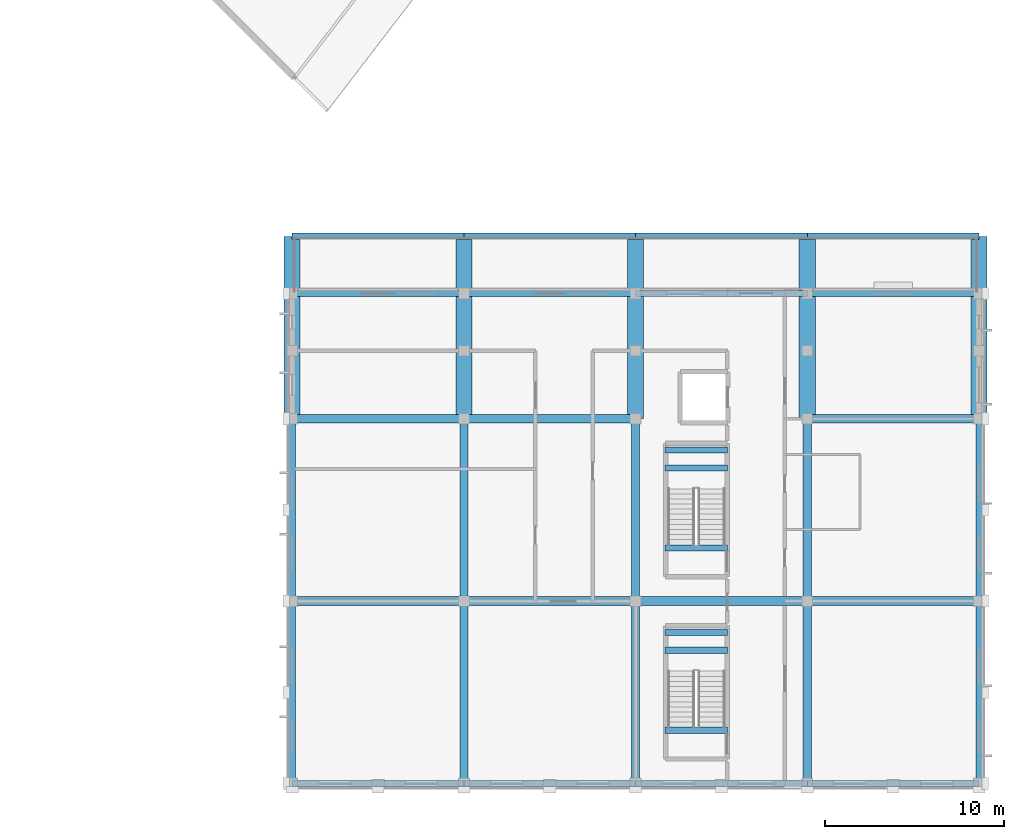
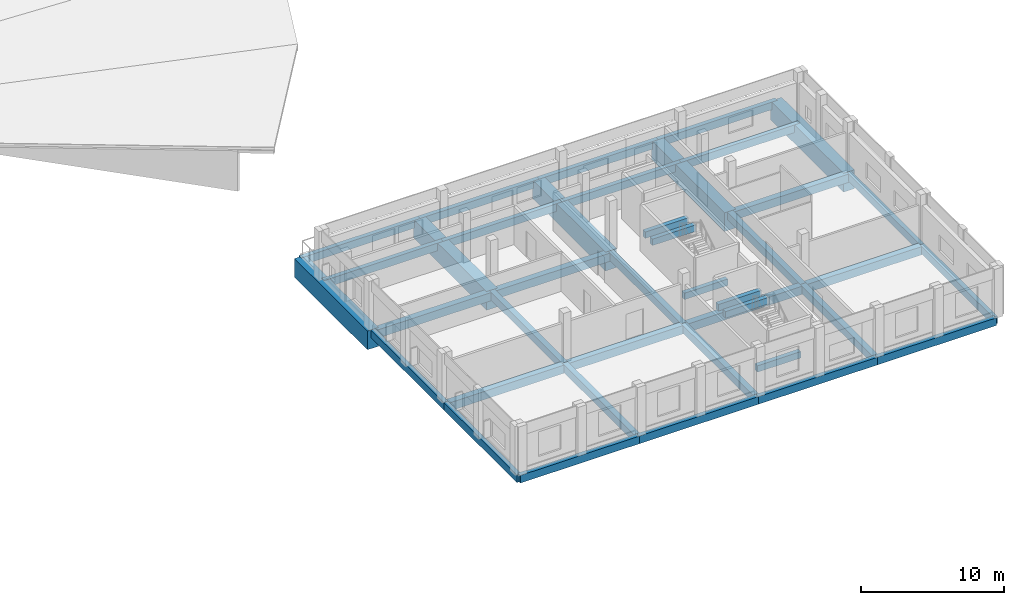
# One storey, part 105 of 200: 40 beams.
"""IFC4 building model written with IfcOpenShell, lengths in metres."""

from ifc_helpers import new_model, si_unit, direction, frame, origin, origin_2d, place, context, subcontext, project, spatial, rectangle, extrude, material, material_profile, profile_set, type_object, element, save


model = new_model("IFC4")

# Units and contexts
model_context = context("Model", 3, precision=1e-05, world=origin(), true_north=direction((0.0, 1.0)))
body_context = subcontext(model_context, "Body", "Model", "MODEL_VIEW")
ifc_project = project(units=[si_unit("LENGTHUNIT", "METRE"), si_unit("AREAUNIT", "SQUARE_METRE"), si_unit("VOLUMEUNIT", "CUBIC_METRE"), si_unit("PLANEANGLEUNIT", "RADIAN"), si_unit("MASSUNIT", "GRAM", prefix="KILO")], contexts=[model_context])

# Site, building, storey
site_placement = place(None, origin())
site = spatial("IfcSite", under=ifc_project, at=site_placement, CompositionType="ELEMENT")
building_placement = place(site_placement, origin())
building = spatial("IfcBuilding", under=site, at=building_placement, Name="Vondelvale Polytechnic", CompositionType="ELEMENT")
storey_placement = place(building_placement, frame((0.0, 0.0, 13.800048828125)))
storey = spatial("IfcBuildingStorey", under=building, at=storey_placement, Name="L03", CompositionType="ELEMENT", Elevation=13.800048828125)

# Beams
ifc_material_1 = material(Name="Concrete N40 (f'c = 40 MPa)", Category="concrete")
ifc_material_profile_1 = material_profile(ifc_material_1, rectangle(XDim=0.35009765625, YDim=0.550048828125, at=origin_2d()), Name="RC-BM-350x550")
ifc_profile_set_1 = profile_set([ifc_material_profile_1], Name="Concrete N40 (f'c = 40 MPa)")
beam_type_1 = type_object("IfcBeamType", Name="BM-RC350x550", PredefinedType="BEAM", material=ifc_profile_set_1)
for number, where, z_axis, x_axis, name in (
    (1, (158.75, 7.449951171875, 1.625), (-1.0, 0.0, 0.0), (0.0, -1.0, 0.0), "L03 STLD B-06"),
    (2, (158.75, 8.449951171875, 1.625), (-1.0, 0.0, 0.0), (0.0, -1.0, 0.0), "L03 STLD B-06"),
    (3, (158.75, 2.97509765625, -0.275146484375), (-1.0, 0.0, 0.0), (0.0, -1.0, 0.0), "L03 STHD B-06"),
    (4, (158.75, 17.64990234375, 1.625), (-1.0, 0.0, 0.0), (0.0, -1.0, 0.0), "L03 STLD B-06"),
    (5, (158.75, 18.64990234375, 1.625), (-1.0, 0.0, 0.0), (0.0, -1.0, 0.0), "L03 STLD B-06"),
    (6, (158.75, 13.175048828125, -0.275146484375), (-1.0, 0.0, 0.0), (0.0, -1.0, 0.0), "L03 STHD B-06"),
):
    element("IfcBeam", number, at=place(storey_placement, frame(where, z_axis=z_axis, x_axis=x_axis)), inside=storey, type_object=beam_type_1, Name=name, PredefinedType="BEAM", context=body_context, shape_type="SweptSolid", body=[
        extrude(rectangle(XDim=0.35009765625, YDim=0.550048828125, at=origin_2d()), origin(), (0.0, 0.0, 1.0), 3.5),
    ])
ifc_material_profile_2 = material_profile(ifc_material_1, rectangle(XDim=0.449951171875, YDim=0.64990234375, at=origin_2d()), Name="RC-BM-450x650")
ifc_profile_set_2 = profile_set([ifc_material_profile_2], Name="Concrete N40 (f'c = 40 MPa)")
beam_type_2 = type_object("IfcBeamType", Name="BM-RC450x650", PredefinedType="BEAM", material=ifc_profile_set_2)
for number, where, z_axis, x_axis, name in (
    (7, (144.0, 0.0, -0.574951171875), (0.0, 1.0, 0.0), (-1.0, 0.0, 0.0), "L03 B B-04"),
    (8, (144.0, 10.199951171875, -0.574951171875), (0.0, 1.0, 0.0), (-1.0, 0.0, 0.0), "L03 B B-04"),
    (9, (153.60009765625, 0.0, -0.574951171875), (0.0, 1.0, 0.0), (-1.0, 0.0, 0.0), "L03 B B-04"),
    (10, (153.60009765625, 10.199951171875, -0.574951171875), (0.0, 1.0, 0.0), (-1.0, 0.0, 0.0), "L03 B B-04"),
    (11, (163.199951171875, 0.0, -0.574951171875), (0.0, 1.0, 0.0), (-1.0, 0.0, 0.0), "L03 B B-04"),
    (12, (163.199951171875, 10.199951171875, -0.574951171875), (0.0, 1.0, 0.0), (-1.0, 0.0, 0.0), "L03 B B-04"),
):
    element("IfcBeam", number, at=place(storey_placement, frame(where, z_axis=z_axis, x_axis=x_axis)), inside=storey, type_object=beam_type_2, Name=name, PredefinedType="BEAM", context=body_context, shape_type="SweptSolid", body=[
        extrude(rectangle(XDim=0.449951171875, YDim=0.64990234375, at=origin_2d()), origin(), (0.0, 0.0, 1.0), 10.199951171875),
    ])
ifc_material_profile_3 = material_profile(ifc_material_1, rectangle(XDim=0.5, YDim=0.699951171875, at=origin_2d()), Name="RC-BM-500x700")
ifc_profile_set_3 = profile_set([ifc_material_profile_3], Name="Concrete N40 (f'c = 40 MPa)")
beam_type_3 = type_object("IfcBeamType", Name="BM-RC500x700", PredefinedType="BEAM", material=ifc_profile_set_3)
for number, where, z_axis, x_axis, name in (
    (13, (134.39990234375, 10.199951171875, -0.60009765625), (1.0, 0.0, 0.0), (0.0, 1.0, 0.0), "L03 B B-03"),
    (14, (144.0, 10.199951171875, -0.60009765625), (1.0, 0.0, 0.0), (0.0, 1.0, 0.0), "L03 B B-03"),
):
    element("IfcBeam", number, at=place(storey_placement, frame(where, z_axis=z_axis, x_axis=x_axis)), inside=storey, type_object=beam_type_3, Name=name, PredefinedType="BEAM", context=body_context, shape_type="SweptSolid", body=[
        extrude(rectangle(XDim=0.5, YDim=0.699951171875, at=origin_2d()), origin(), (0.0, 0.0, 1.0), 9.60009765625),
    ])
beam_1_placement = place(storey_placement, frame((153.60009765625, 10.199951171875, -0.60009765625), z_axis=(1.0, 0.0, 0.0), x_axis=(0.0, 1.0, 0.0)))
element("IfcBeam", 15, at=beam_1_placement, inside=storey, type_object=beam_type_3, Name="L03 B B-03", PredefinedType="BEAM", context=body_context, shape_type="SweptSolid", body=[
    extrude(rectangle(XDim=0.5, YDim=0.699951171875, at=origin_2d()), origin(), (0.0, 0.0, 1.0), 9.599853515625),
])
for number, where, z_axis, x_axis, name in (
    (16, (163.199951171875, 10.199951171875, -0.60009765625), (1.0, 0.0, 0.0), (0.0, 1.0, 0.0), "L03 B B-03"),
    (17, (134.39990234375, 20.39990234375, -0.60009765625), (1.0, 0.0, 0.0), (0.0, 1.0, 0.0), "L03 B B-03"),
    (18, (144.0, 20.39990234375, -0.60009765625), (1.0, 0.0, 0.0), (0.0, 1.0, 0.0), "L03 B B-03"),
    (19, (163.199951171875, 20.39990234375, -0.60009765625), (1.0, 0.0, 0.0), (0.0, 1.0, 0.0), "L03 B B-03"),
):
    element("IfcBeam", number, at=place(storey_placement, frame(where, z_axis=z_axis, x_axis=x_axis)), inside=storey, type_object=beam_type_3, Name=name, PredefinedType="BEAM", context=body_context, shape_type="SweptSolid", body=[
        extrude(rectangle(XDim=0.5, YDim=0.699951171875, at=origin_2d()), origin(), (0.0, 0.0, 1.0), 9.60009765625),
    ])
ifc_material_2 = material(Name="Concrete N50 (f'c = 50 MPa)", Category="concrete")
ifc_material_profile_4 = material_profile(ifc_material_2, rectangle(XDim=0.89990234375, YDim=1.60009765625, at=origin_2d()), Name="RC-TG-900x1600")
ifc_profile_set_4 = profile_set([ifc_material_profile_4], Name="Concrete N50 (f'c = 50 MPa)")
beam_type_4 = type_object("IfcBeamType", Name="BM-TG1600", PredefinedType="BEAM", material=ifc_profile_set_4)
for number, where, z_axis, x_axis, name in (
    (20, (134.39990234375, 20.39990234375, -1.050048828125), (0.0, 1.0, 0.0), (-1.0, 0.0, 0.0), "L03 reinforced concrete transfer girder TG-02"),
    (21, (144.0, 20.39990234375, -1.050048828125), (0.0, 1.0, 0.0), (-1.0, 0.0, 0.0), "L03 reinforced concrete transfer girder TG-02"),
    (22, (153.60009765625, 20.39990234375, -1.050048828125), (0.0, 1.0, 0.0), (-1.0, 0.0, 0.0), "L03 reinforced concrete transfer girder TG-02"),
    (23, (163.199951171875, 20.39990234375, -1.050048828125), (0.0, 1.0, 0.0), (-1.0, 0.0, 0.0), "L03 reinforced concrete transfer girder TG-02"),
    (24, (172.800048828125, 20.39990234375, -1.050048828125), (0.0, 1.0, 0.0), (-1.0, 0.0, 0.0), "L03 reinforced concrete transfer girder TG-02"),
):
    element("IfcBeam", number, at=place(storey_placement, frame(where, z_axis=z_axis, x_axis=x_axis)), inside=storey, type_object=beam_type_4, Name=name, PredefinedType="BEAM", context=body_context, shape_type="SweptSolid", body=[
        extrude(rectangle(XDim=0.89990234375, YDim=1.60009765625, at=origin_2d()), origin(), (0.0, 0.0, 1.0), 10.2001953125),
    ])
ifc_material_3 = material(Name="Precast concrete N40 (f'c = 40 MPa)", Category="concrete")
ifc_material_profile_5 = material_profile(ifc_material_3, rectangle(XDim=0.35009765625, YDim=0.64990234375, at=origin_2d()), Name="RC-SPN-350x650")
ifc_profile_set_5 = profile_set([ifc_material_profile_5], Name="Precast concrete N40 (f'c = 40 MPa)")
beam_type_5 = type_object("IfcBeamType", Name="SPN-PRE350x650", PredefinedType="SPANDREL", material=ifc_profile_set_5)
for number, where, z_axis, x_axis, name in (
    (25, (134.39990234375, 0.0, -0.574951171875), (1.0, 0.0, 0.0), (0.0, 1.0, 0.0), "L03 B SP-02"),
    (26, (144.0, 0.0, -0.574951171875), (1.0, 0.0, 0.0), (0.0, 1.0, 0.0), "L03 B SP-02"),
):
    element("IfcBeam", number, at=place(storey_placement, frame(where, z_axis=z_axis, x_axis=x_axis)), inside=storey, type_object=beam_type_5, Name=name, PredefinedType="SPANDREL", context=body_context, shape_type="SweptSolid", body=[
        extrude(rectangle(XDim=0.35009765625, YDim=0.64990234375, at=origin_2d()), origin(), (0.0, 0.0, 1.0), 9.60009765625),
    ])
beam_2_placement = place(storey_placement, frame((153.60009765625, 0.0, -0.574951171875), z_axis=(1.0, 0.0, 0.0), x_axis=(0.0, 1.0, 0.0)))
element("IfcBeam", 27, at=beam_2_placement, inside=storey, type_object=beam_type_5, Name="L03 B SP-02", PredefinedType="SPANDREL", context=body_context, shape_type="SweptSolid", body=[
    extrude(rectangle(XDim=0.35009765625, YDim=0.64990234375, at=origin_2d()), origin(), (0.0, 0.0, 1.0), 9.599853515625),
])
for number, where, z_axis, x_axis, name in (
    (28, (163.199951171875, 0.0, -0.574951171875), (1.0, 0.0, 0.0), (0.0, 1.0, 0.0), "L03 B SP-02"),
    (29, (134.39990234375, 30.60009765625, -0.574951171875), (1.0, 0.0, 0.0), (0.0, 1.0, 0.0), "L03 B SP-02"),
    (30, (144.0, 30.60009765625, -0.574951171875), (1.0, 0.0, 0.0), (0.0, 1.0, 0.0), "L03 B SP-02"),
):
    element("IfcBeam", number, at=place(storey_placement, frame(where, z_axis=z_axis, x_axis=x_axis)), inside=storey, type_object=beam_type_5, Name=name, PredefinedType="SPANDREL", context=body_context, shape_type="SweptSolid", body=[
        extrude(rectangle(XDim=0.35009765625, YDim=0.64990234375, at=origin_2d()), origin(), (0.0, 0.0, 1.0), 9.60009765625),
    ])
beam_3_placement = place(storey_placement, frame((153.60009765625, 30.60009765625, -0.574951171875), z_axis=(1.0, 0.0, 0.0), x_axis=(0.0, 1.0, 0.0)))
element("IfcBeam", 31, at=beam_3_placement, inside=storey, type_object=beam_type_5, Name="L03 B SP-02", PredefinedType="SPANDREL", context=body_context, shape_type="SweptSolid", body=[
    extrude(rectangle(XDim=0.35009765625, YDim=0.64990234375, at=origin_2d()), origin(), (0.0, 0.0, 1.0), 9.599853515625),
])
for number, where, z_axis, x_axis, name in (
    (32, (163.199951171875, 30.60009765625, -0.574951171875), (1.0, 0.0, 0.0), (0.0, 1.0, 0.0), "L03 B SP-02"),
    (33, (134.39990234375, 27.39990234375, -0.574951171875), (1.0, 0.0, 0.0), (0.0, 1.0, 0.0), "L03 B SP-02"),
    (34, (144.0, 27.39990234375, -0.574951171875), (1.0, 0.0, 0.0), (0.0, 1.0, 0.0), "L03 B SP-02"),
):
    element("IfcBeam", number, at=place(storey_placement, frame(where, z_axis=z_axis, x_axis=x_axis)), inside=storey, type_object=beam_type_5, Name=name, PredefinedType="SPANDREL", context=body_context, shape_type="SweptSolid", body=[
        extrude(rectangle(XDim=0.35009765625, YDim=0.64990234375, at=origin_2d()), origin(), (0.0, 0.0, 1.0), 9.60009765625),
    ])
beam_4_placement = place(storey_placement, frame((153.60009765625, 27.39990234375, -0.574951171875), z_axis=(1.0, 0.0, 0.0), x_axis=(0.0, 1.0, 0.0)))
element("IfcBeam", 35, at=beam_4_placement, inside=storey, type_object=beam_type_5, Name="L03 B SP-02", PredefinedType="SPANDREL", context=body_context, shape_type="SweptSolid", body=[
    extrude(rectangle(XDim=0.35009765625, YDim=0.64990234375, at=origin_2d()), origin(), (0.0, 0.0, 1.0), 9.599853515625),
])
beam_5_placement = place(storey_placement, frame((163.199951171875, 27.39990234375, -0.574951171875), z_axis=(1.0, 0.0, 0.0), x_axis=(0.0, 1.0, 0.0)))
element("IfcBeam", 36, at=beam_5_placement, inside=storey, type_object=beam_type_5, Name="L03 B SP-02", PredefinedType="SPANDREL", context=body_context, shape_type="SweptSolid", body=[
    extrude(rectangle(XDim=0.35009765625, YDim=0.64990234375, at=origin_2d()), origin(), (0.0, 0.0, 1.0), 9.60009765625),
])
for number, where, z_axis, x_axis, name in (
    (37, (134.39990234375, 0.0, -0.574951171875), (0.0, 1.0, 0.0), (-1.0, 0.0, 0.0), "L03 B SP-02"),
    (38, (134.39990234375, 10.199951171875, -0.574951171875), (0.0, 1.0, 0.0), (-1.0, 0.0, 0.0), "L03 B SP-02"),
    (39, (172.800048828125, 0.0, -0.574951171875), (0.0, 1.0, 0.0), (-1.0, 0.0, 0.0), "L03 B SP-02"),
    (40, (172.800048828125, 10.199951171875, -0.574951171875), (0.0, 1.0, 0.0), (-1.0, 0.0, 0.0), "L03 B SP-02"),
):
    element("IfcBeam", number, at=place(storey_placement, frame(where, z_axis=z_axis, x_axis=x_axis)), inside=storey, type_object=beam_type_5, Name=name, PredefinedType="SPANDREL", context=body_context, shape_type="SweptSolid", body=[
        extrude(rectangle(XDim=0.35009765625, YDim=0.64990234375, at=origin_2d()), origin(), (0.0, 0.0, 1.0), 10.199951171875),
    ])

save(model, "model.ifc")
